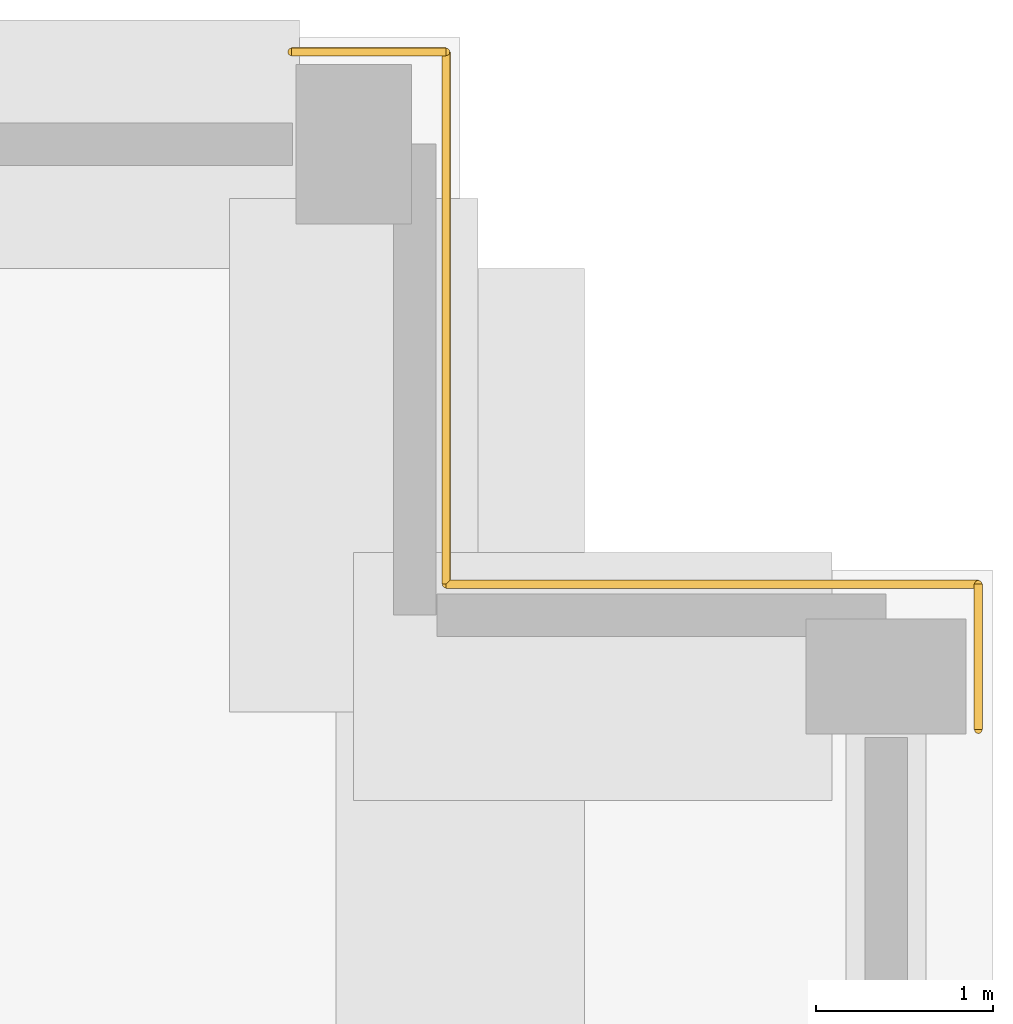
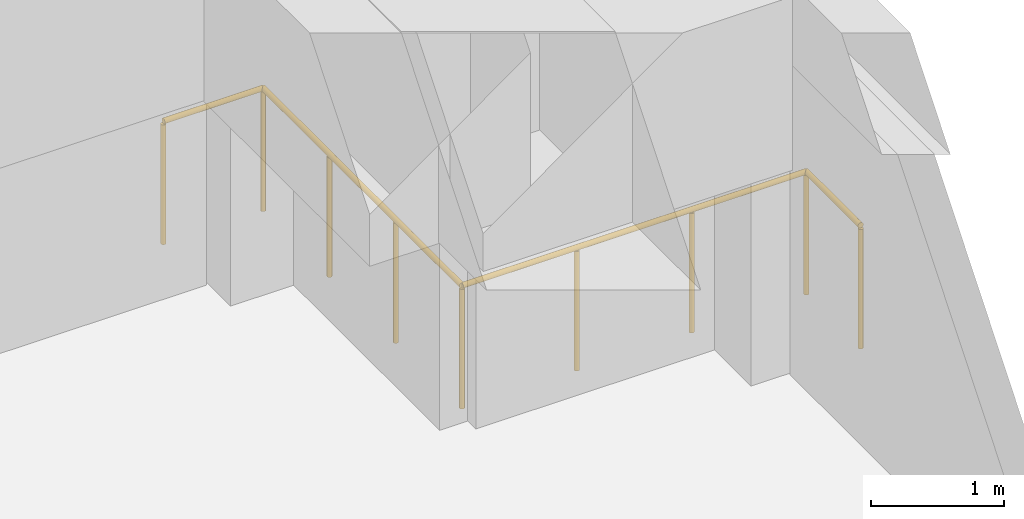
# One storey, part 8 of 8: 4 railings.
"""IFC4 building model written with IfcOpenShell, lengths in metres."""

from ifc_helpers import new_model, si_unit, direction, frame, origin, origin_2d, place, context, subcontext, project, spatial, circle, extrude, material, type_object, element, save


model = new_model("IFC4")

# Units and contexts
model_context = context("Model", 3, precision=1e-05, world=origin(), true_north=direction((0.0, 1.0)))
body_context = subcontext(model_context, "Body", "Model", "MODEL_VIEW")
ifc_project = project(units=[si_unit("LENGTHUNIT", "METRE"), si_unit("AREAUNIT", "SQUARE_METRE"), si_unit("VOLUMEUNIT", "CUBIC_METRE"), si_unit("PLANEANGLEUNIT", "RADIAN"), si_unit("MASSUNIT", "GRAM", prefix="KILO")], contexts=[model_context])

# Site, building, storey
site_placement = place(None, origin())
site = spatial("IfcSite", under=ifc_project, at=site_placement, CompositionType="ELEMENT")
building_placement = place(site_placement, origin())
building = spatial("IfcBuilding", under=site, at=building_placement, Name="Sulina Concourse Tower", CompositionType="ELEMENT")
storey_placement = place(building_placement, frame((0.0, 0.0, 293.0)))
storey = spatial("IfcBuildingStorey", under=building, at=storey_placement, Name="L71", CompositionType="ELEMENT", Elevation=293.0)

# Railings
ifc_material = material(Name="Galvanised steel railing", Category="steel")
railing_type = type_object("IfcRailingType", Name="Core Stair Steel Guardrail 1150mm", PredefinedType="GUARDRAIL", material=ifc_material)
railing_1_placement = place(storey_placement, frame((40.64990234375, 45.919921875, 0.0)))
element("IfcRailing", 1, at=railing_1_placement, inside=storey, type_object=railing_type, Name="L71 perimeter edge safety guardrail NE1", PredefinedType="GUARDRAIL", context=body_context, shape_type="SweptSolid", body=[
    extrude(circle(Radius=0.02392578125, at=origin_2d()), frame((0.0, 0.0, 1.1259765625), z_axis=(1.0, 0.0, 0.0), x_axis=(0.0, 1.0, 0.0)), (0.0, 0.0, 1.0), 0.8701171875),
    extrude(circle(Radius=0.02099609375, at=origin_2d()), origin(), (0.0, 0.0, 1.0), 1.101806640625),
    extrude(circle(Radius=0.02099609375, at=origin_2d()), frame((0.8701171875, 0.0, 0.0)), (0.0, 0.0, 1.0), 1.101806640625),
])
railing_2_placement = place(storey_placement, frame((41.52001953125, 45.919921875, 0.0)))
element("IfcRailing", 2, at=railing_2_placement, inside=storey, type_object=railing_type, Name="L71 perimeter edge safety guardrail NE2", PredefinedType="GUARDRAIL", context=body_context, shape_type="SweptSolid", body=[
    extrude(circle(Radius=0.02392578125, at=origin_2d()), frame((0.0, 0.0, 1.1259765625), z_axis=(0.0, -1.0, 0.0), x_axis=(1.0, 0.0, 0.0)), (0.0, 0.0, 1.0), 3.0),
    extrude(circle(Radius=0.02099609375, at=origin_2d()), origin(), (0.0, 0.0, 1.0), 1.101806640625),
    extrude(circle(Radius=0.02099609375, at=origin_2d()), frame((0.0, -1.0, 0.0)), (0.0, 0.0, 1.0), 1.101806640625),
    extrude(circle(Radius=0.02099609375, at=origin_2d()), frame((0.0, -2.0, 0.0)), (0.0, 0.0, 1.0), 1.101806640625),
    extrude(circle(Radius=0.02099609375, at=origin_2d()), frame((0.0, -3.0, 0.0)), (0.0, 0.0, 1.0), 1.101806640625),
])
railing_3_placement = place(storey_placement, frame((41.52001953125, 42.919921875, 0.0)))
element("IfcRailing", 3, at=railing_3_placement, inside=storey, type_object=railing_type, Name="L71 perimeter edge safety guardrail NE3", PredefinedType="GUARDRAIL", context=body_context, shape_type="SweptSolid", body=[
    extrude(circle(Radius=0.02392578125, at=origin_2d()), frame((0.0, 0.0, 1.1259765625), z_axis=(1.0, 0.0, 0.0), x_axis=(0.0, 1.0, 0.0)), (0.0, 0.0, 1.0), 3.0),
    extrude(circle(Radius=0.02099609375, at=origin_2d()), origin(), (0.0, 0.0, 1.0), 1.101806640625),
    extrude(circle(Radius=0.02099609375, at=origin_2d()), frame((1.0, 0.0, 0.0)), (0.0, 0.0, 1.0), 1.101806640625),
    extrude(circle(Radius=0.02099609375, at=origin_2d()), frame((2.0, 0.0, 0.0)), (0.0, 0.0, 1.0), 1.101806640625),
    extrude(circle(Radius=0.02099609375, at=origin_2d()), frame((3.0, 0.0, 0.0)), (0.0, 0.0, 1.0), 1.101806640625),
])
railing_4_placement = place(storey_placement, frame((44.52001953125, 42.919921875, 0.0)))
element("IfcRailing", 4, at=railing_4_placement, inside=storey, type_object=railing_type, Name="L71 perimeter edge safety guardrail NE4", PredefinedType="GUARDRAIL", context=body_context, shape_type="SweptSolid", body=[
    extrude(circle(Radius=0.02392578125, at=origin_2d()), frame((0.0, 0.0, 1.1259765625), z_axis=(0.0, -1.0, 0.0), x_axis=(1.0, 0.0, 0.0)), (0.0, 0.0, 1.0), 0.81982421875),
    extrude(circle(Radius=0.02099609375, at=origin_2d()), origin(), (0.0, 0.0, 1.0), 1.101806640625),
    extrude(circle(Radius=0.02099609375, at=origin_2d()), frame((0.0, -0.81982421875, 0.0)), (0.0, 0.0, 1.0), 1.101806640625),
])

save(model, "model.ifc")
